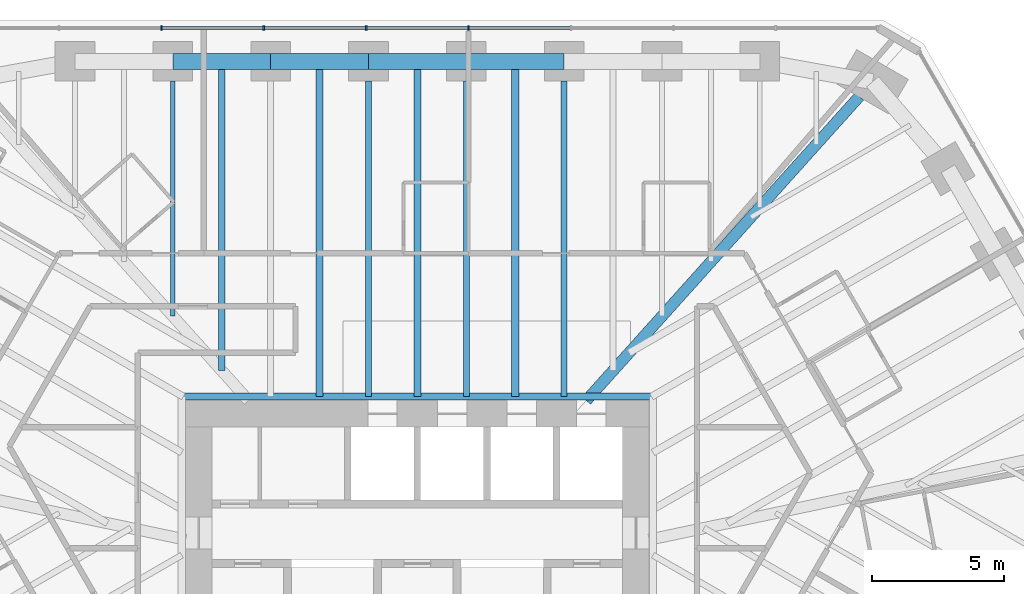
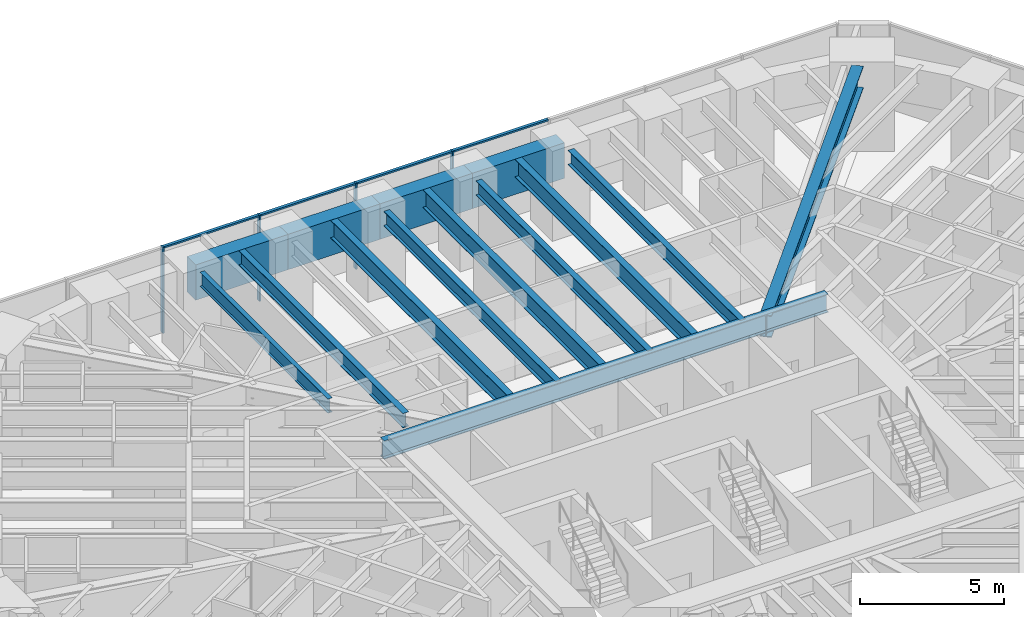
# One storey, part 8 of 16: 14 beams, 8 members, 1 element without a shape of its own.
"""IFC4 building model written with IfcOpenShell, lengths in metres."""

import ifcopenshell
import ifcopenshell.guid

model = None  # the IFC model being written
_history = None  # IfcOwnerHistory: only IFC2X3 demands one
_inside = {}  # id of a spatial element -> (the spatial element, [elements in it])
_under = {}  # id of a project, library or spatial element -> (it, [spatial elements below it])
_declared = {}  # id of a project -> (the project, [libraries it declares])
_typed = {}  # id of a type object -> (the type object, [elements of that type])
_made_of = {}  # id of a material, layer set ... -> (it, [elements and type objects made of it])


def new_model(schema):
    """Start an empty IFC model of exactly this schema.

    Asked for "IFC4X3", IfcOpenShell would pick the latest addendum, in which some entities
    have other attributes; the version numbers below select the first issue.
    IFC2X3 requires an IfcOwnerHistory on every rooted entity: one is made here for all.
    """
    global model, _history
    if schema == "IFC4X3":
        model = ifcopenshell.file(schema_version=(4, 3, 0, 0))
    else:
        model = ifcopenshell.file(schema=schema)
    _inside.clear()
    _under.clear()
    _declared.clear()
    _typed.clear()
    _made_of.clear()
    _history = None
    if model.schema == "IFC2X3":
        org = make("IfcOrganization", Name="unknown")
        user = make(
            "IfcPersonAndOrganization",
            ThePerson=make("IfcPerson", FamilyName="unknown"),
            TheOrganization=org,
        )
        app = make(
            "IfcApplication",
            ApplicationDeveloper=org,
            Version="unknown",
            ApplicationFullName="unknown",
            ApplicationIdentifier="unknown",
        )
        _history = make(
            "IfcOwnerHistory",
            OwningUser=user,
            OwningApplication=app,
            ChangeAction="ADDED",
            CreationDate=0,
        )
    return model


def make(cls, **values):
    """One entity of the class cls with the attributes given. An attribute that is None is left unset."""
    return model.create_entity(
        cls, **{name: value for name, value in values.items() if value is not None}
    )


def rooted(cls, **values):
    """An entity with a GlobalId (a new one), such as an element, a storey or a relation."""
    return make(cls, GlobalId=ifcopenshell.guid.new(), OwnerHistory=_history, **values)


def si_unit(unit_type, name, prefix=None):
    """IfcSIUnit, for example si_unit("LENGTHUNIT", "METRE", prefix="MILLI")."""
    return make("IfcSIUnit", UnitType=unit_type, Prefix=prefix, Name=name)


def assignment(units):
    """IfcUnitAssignment: the units of a project."""
    return None if units is None else make("IfcUnitAssignment", Units=units)


def point(xyz):
    """IfcCartesianPoint."""
    return None if xyz is None else make("IfcCartesianPoint", Coordinates=xyz)


def direction(xyz):
    """IfcDirection."""
    return None if xyz is None else make("IfcDirection", DirectionRatios=xyz)


def frame(location, z_axis=None, x_axis=None):
    """IfcAxis2Placement3D, a coordinate frame: its origin and axes. An axis left out is left unset."""
    return make(
        "IfcAxis2Placement3D",
        Location=point(location),
        Axis=direction(z_axis),
        RefDirection=direction(x_axis),
    )


def frame_2d(location, x_axis=None):
    """IfcAxis2Placement2D, a coordinate frame in the plane: its origin and x axis."""
    return make(
        "IfcAxis2Placement2D", Location=point(location), RefDirection=direction(x_axis)
    )


def origin():
    """The frame at (0, 0, 0) with its axes left unset."""
    return frame((0.0, 0.0, 0.0))


def origin_2d():
    """The frame at (0, 0) in the plane with its x axis left unset."""
    return frame_2d((0.0, 0.0))


def place(relative_to, where):
    """IfcLocalPlacement: puts the frame where relative to a parent placement (None: the world)."""
    return make(
        "IfcLocalPlacement", PlacementRelTo=relative_to, RelativePlacement=where
    )


def context(
    kind, dimensions, precision=None, world=None, true_north=None, identifier=None
):
    """IfcGeometricRepresentationContext, for example the 3D "Model" context."""
    return make(
        "IfcGeometricRepresentationContext",
        ContextIdentifier=identifier,
        ContextType=kind,
        CoordinateSpaceDimension=dimensions,
        Precision=precision,
        WorldCoordinateSystem=world,
        TrueNorth=true_north,
    )


def subcontext(parent, identifier, kind, view, scale=None):
    """IfcGeometricRepresentationSubContext, for example "Body" below "Model"."""
    return make(
        "IfcGeometricRepresentationSubContext",
        ContextIdentifier=identifier,
        ContextType=kind,
        ParentContext=parent,
        TargetScale=scale,
        TargetView=view,
    )


def project(units=None, contexts=None):
    """IfcProject with its units and contexts."""
    return rooted(
        "IfcProject",
        Name="project",
        RepresentationContexts=contexts,
        UnitsInContext=assignment(units),
    )


def spatial(cls, under=None, at=None, **own):
    """A site, building, storey or space (cls), placed at a placement, below another one or the project."""
    s = rooted(cls, ObjectPlacement=at, **own)
    if under is not None:
        _under.setdefault(under.id(), (under, []))[1].append(s)
    return s


def profile(cls, at=None, kind="AREA", **sizes):
    """A parametric profile (cls). Its sizes go by their IFC names, for example OverallWidth=200.0."""
    return make(cls, ProfileType=kind, Position=at, **sizes)


def rectangle(**sizes):
    """IfcRectangleProfileDef."""
    return profile("IfcRectangleProfileDef", **sizes)


def i_section(**sizes):
    """IfcIShapeProfileDef."""
    return profile("IfcIShapeProfileDef", **sizes)


def extrude(swept, where, along, depth):
    """IfcExtrudedAreaSolid: the profile swept, set in the frame where, extruded along a direction by depth."""
    return make(
        "IfcExtrudedAreaSolid",
        SweptArea=swept,
        Position=where,
        ExtrudedDirection=direction(along),
        Depth=depth,
    )


def shape(context_of_items, identifier, shape_type, items):
    """IfcShapeRepresentation: the items that make up one representation, for example the "Body"."""
    return make(
        "IfcShapeRepresentation",
        ContextOfItems=context_of_items,
        RepresentationIdentifier=identifier,
        RepresentationType=shape_type,
        Items=items,
    )


def material(Name=None, Category=None):
    """IfcMaterial."""
    return make("IfcMaterial", Name=Name, Category=Category)


def material_profile(
    of_material, cross_section, Name=None, Category=None, Priority=None
):
    """IfcMaterialProfile: a cross section and its material."""
    return make(
        "IfcMaterialProfile",
        Name=Name,
        Material=of_material,
        Profile=cross_section,
        Priority=Priority,
        Category=Category,
    )


def profile_set(profiles, Name=None, composite=None):
    """IfcMaterialProfileSet."""
    return make(
        "IfcMaterialProfileSet",
        Name=Name,
        MaterialProfiles=profiles,
        CompositeProfile=composite,
    )


def made_of(thing, what):
    """Note that an element or type object is made of a material, layer set ...; save() writes the relation."""
    if what is not None:
        _made_of.setdefault(what.id(), (what, []))[1].append(thing)
    return thing


def type_object(cls, material=None, **own):
    """A type object (cls), such as IfcWallType, which elements share."""
    return made_of(rooted(cls, **own), material)


def element(
    cls,
    number,
    at=None,
    inside=None,
    cuts=None,
    type_object=None,
    material=None,
    context=None,
    identifier="Body",
    shape_type=None,
    held_by="IfcProductDefinitionShape",
    body=None,
    shapes=None,
    **own,
):
    """One element of the class cls, such as IfcWall. Its Tag is "e" and its number.

    at: its placement. inside: the storey or other place that contains it. cuts: it is an
    opening in that element (IfcRelVoidsElement). A single representation is given by context,
    identifier, shape_type and body (its items); several are given by shapes. held_by: the class
    of the entity that holds the representations. save() writes the other relations.
    """
    e = rooted(cls, Tag="e%d" % number, ObjectPlacement=at, **own)
    if body is not None:
        shapes = [shape(context, identifier, shape_type, body)]
    if shapes is not None:
        e.Representation = make(held_by, Representations=shapes)
    if inside is not None:
        _inside.setdefault(inside.id(), (inside, []))[1].append(e)
    if cuts is not None:
        rooted(
            "IfcRelVoidsElement", RelatingBuildingElement=cuts, RelatedOpeningElement=e
        )
    if type_object is not None:
        _typed.setdefault(type_object.id(), (type_object, []))[1].append(e)
    return made_of(e, material)


def aggregate(whole, parts):
    """IfcRelAggregates: a whole, such as a stair, and the parts it consists of."""
    return rooted("IfcRelAggregates", RelatingObject=whole, RelatedObjects=parts)


def save(model, path):
    """Write the relations noted so far, then the file.

    IfcRelAggregates (storeys below a building ...), IfcRelContainedInSpatialStructure (elements
    in a storey), IfcRelDefinesByType, IfcRelAssociatesMaterial and IfcRelDeclares: one each for
    every whole, place, type object, material and project.
    """
    for whole, parts in _under.values():
        aggregate(whole, parts)
    for where, things in _inside.values():
        rooted(
            "IfcRelContainedInSpatialStructure",
            RelatedElements=things,
            RelatingStructure=where,
        )
    for kind, things in _typed.values():
        rooted("IfcRelDefinesByType", RelatedObjects=things, RelatingType=kind)
    for what, things in _made_of.values():
        rooted("IfcRelAssociatesMaterial", RelatedObjects=things, RelatingMaterial=what)
    for by, libraries in _declared.values():
        rooted("IfcRelDeclares", RelatingContext=by, RelatedDefinitions=libraries)
    model.write(path)


model = new_model("IFC4")

# Units and contexts
model_context = context("Model", 3, precision=1e-05, world=origin(), true_north=direction((0.0, 1.0)))
body_context = subcontext(model_context, "Body", "Model", "MODEL_VIEW")
ifc_project = project(units=[si_unit("LENGTHUNIT", "METRE"), si_unit("AREAUNIT", "SQUARE_METRE"), si_unit("VOLUMEUNIT", "CUBIC_METRE"), si_unit("PLANEANGLEUNIT", "RADIAN"), si_unit("MASSUNIT", "GRAM", prefix="KILO")], contexts=[model_context])

# Site, building, storey
site_placement = place(None, origin())
site = spatial("IfcSite", under=ifc_project, at=site_placement, CompositionType="ELEMENT")
building_placement = place(site_placement, origin())
building = spatial("IfcBuilding", under=site, at=building_placement, Name="Sandreach Pilgrim Tower", CompositionType="ELEMENT")
storey_placement = place(building_placement, frame((0.0, 0.0, 202.199951171875)))
storey = spatial("IfcBuildingStorey", under=building, at=storey_placement, Name="L50", CompositionType="ELEMENT", Elevation=202.199951171875)

# Curtain wall, members
ifc_material_1 = material(Name="Aluminium framed curtain wall", Category="aluminium")
curtain_wall_type = type_object("IfcCurtainWallType", Name="Upper hotel tower curtain wall", PredefinedType="NOTDEFINED", material=ifc_material_1)
curtain_wall_placement = place(storey_placement, origin())
curtain_wall = element("IfcCurtainWall", 1, at=curtain_wall_placement, inside=storey, type_object=curtain_wall_type, Name="CW-3 L50 N", PredefinedType="NOTDEFINED")
ifc_material_2 = material(Name="Aluminium extrusion", Category="aluminium")
ifc_material_profile_1 = material_profile(ifc_material_2, rectangle(XDim=0.06494140625, YDim=0.159912109375, at=origin_2d()), Name="CW-3M 65X160")
ifc_profile_set_1 = profile_set([ifc_material_profile_1], Name="Aluminium extrusion")
member_type_1 = type_object("IfcMemberType", Name="CW-3 mullion", PredefinedType="MULLION", material=ifc_profile_set_1)
member_1_placement = place(storey_placement, frame((-9.6611328125, 21.16015625, 0.0), z_axis=(0.0, 0.0, 1.0), x_axis=(1.0, 0.0, 0.0)))
member_1 = element("IfcMember", 2, at=member_1_placement, type_object=member_type_1, Name="CW-3 mullion 3", PredefinedType="MULLION", context=body_context, shape_type="SweptSolid", body=[
    extrude(rectangle(XDim=0.06494140625, YDim=0.159912109375, at=origin_2d()), origin(), (0.0, 0.0, 1.0), 3.64013671875),
])
member_2_placement = place(storey_placement, frame((-5.796630859375, 21.16015625, 0.0), z_axis=(0.0, 0.0, 1.0), x_axis=(1.0, 0.0, 0.0)))
member_2 = element("IfcMember", 3, at=member_2_placement, type_object=member_type_1, Name="CW-3 mullion 4", PredefinedType="MULLION", context=body_context, shape_type="SweptSolid", body=[
    extrude(rectangle(XDim=0.06494140625, YDim=0.159912109375, at=origin_2d()), origin(), (0.0, 0.0, 1.0), 3.64013671875),
])
member_3_placement = place(storey_placement, frame((-1.93212890625, 21.16015625, 0.0), z_axis=(0.0, 0.0, 1.0), x_axis=(1.0, 0.0, 0.0)))
member_3 = element("IfcMember", 4, at=member_3_placement, type_object=member_type_1, Name="CW-3 mullion 5", PredefinedType="MULLION", context=body_context, shape_type="SweptSolid", body=[
    extrude(rectangle(XDim=0.06494140625, YDim=0.159912109375, at=origin_2d()), origin(), (0.0, 0.0, 1.0), 3.64013671875),
])
member_4_placement = place(storey_placement, frame((1.93212890625, 21.16015625, 0.0), z_axis=(0.0, 0.0, 1.0), x_axis=(1.0, 0.0, 0.0)))
member_4 = element("IfcMember", 5, at=member_4_placement, type_object=member_type_1, Name="CW-3 mullion 6", PredefinedType="MULLION", context=body_context, shape_type="SweptSolid", body=[
    extrude(rectangle(XDim=0.06494140625, YDim=0.159912109375, at=origin_2d()), origin(), (0.0, 0.0, 1.0), 3.64013671875),
])
ifc_material_3 = material(Name="Aluminium extrusion", Category="aluminium")
ifc_material_profile_2 = material_profile(ifc_material_3, rectangle(XDim=0.1201171875, YDim=0.070068359375, at=origin_2d()), Name="CW-3T 120X70")
ifc_profile_set_2 = profile_set([ifc_material_profile_2], Name="Aluminium extrusion")
member_type_2 = type_object("IfcMemberType", Name="CW-3 transom", PredefinedType="USERDEFINED", material=ifc_profile_set_2)
member_5_placement = place(storey_placement, frame((-9.628662109375, 21.16015625, 3.60498046875), z_axis=(1.0, 0.0, 0.0), x_axis=(0.0, 1.0, 0.0)))
member_5 = element("IfcMember", 6, at=member_5_placement, type_object=member_type_2, Name="CW-3 head transom 3", ObjectType="TRANSOM", PredefinedType="USERDEFINED", context=body_context, shape_type="SweptSolid", body=[
    extrude(rectangle(XDim=0.1201171875, YDim=0.070068359375, at=origin_2d()), origin(), (0.0, 0.0, 1.0), 3.799560546875),
])
member_6_placement = place(storey_placement, frame((-5.76416015625, 21.16015625, 3.60498046875), z_axis=(1.0, 0.0, 0.0), x_axis=(0.0, 1.0, 0.0)))
member_6 = element("IfcMember", 7, at=member_6_placement, type_object=member_type_2, Name="CW-3 head transom 4", ObjectType="TRANSOM", PredefinedType="USERDEFINED", context=body_context, shape_type="SweptSolid", body=[
    extrude(rectangle(XDim=0.1201171875, YDim=0.070068359375, at=origin_2d()), origin(), (0.0, 0.0, 1.0), 3.799560546875),
])
member_7_placement = place(storey_placement, frame((-1.899658203125, 21.16015625, 3.60498046875), z_axis=(1.0, 0.0, 0.0), x_axis=(0.0, 1.0, 0.0)))
member_7 = element("IfcMember", 8, at=member_7_placement, type_object=member_type_2, Name="CW-3 head transom 5", ObjectType="TRANSOM", PredefinedType="USERDEFINED", context=body_context, shape_type="SweptSolid", body=[
    extrude(rectangle(XDim=0.1201171875, YDim=0.070068359375, at=origin_2d()), origin(), (0.0, 0.0, 1.0), 3.79931640625),
])
member_8_placement = place(storey_placement, frame((1.964599609375, 21.16015625, 3.60498046875), z_axis=(1.0, 0.0, 0.0), x_axis=(0.0, 1.0, 0.0)))
member_8 = element("IfcMember", 9, at=member_8_placement, type_object=member_type_2, Name="CW-3 head transom 6", ObjectType="TRANSOM", PredefinedType="USERDEFINED", context=body_context, shape_type="SweptSolid", body=[
    extrude(rectangle(XDim=0.1201171875, YDim=0.070068359375, at=origin_2d()), origin(), (0.0, 0.0, 1.0), 3.799560546875),
])
aggregate(curtain_wall, [member_1, member_2, member_3, member_4, member_5, member_6, member_7, member_8])

# Beams
ifc_material_4 = material(Name="Steel ASTM A992 Grade 50", Category="steel")
ifc_material_profile_3 = material_profile(ifc_material_4, i_section(OverallWidth=0.2666015625, OverallDepth=0.77978515625, WebThickness=0.0166015625, FlangeThickness=0.030029296875, at=origin_2d()), Name="W30X148")
ifc_profile_set_3 = profile_set([ifc_material_profile_3], Name="Steel ASTM A992 Grade 50")
beam_type_1 = type_object("IfcBeamType", Name="Core edge beam W30X148", PredefinedType="BEAM", material=ifc_profile_set_3)
beam_1_placement = place(storey_placement, frame((-8.893310546875, 7.243408203125, 3.250244140625), z_axis=(1.0, 0.0, 0.0), x_axis=(0.0, 1.0, 0.0)))
element("IfcBeam", 10, at=beam_1_placement, inside=storey, type_object=beam_type_1, Name="BM L50 CEN", PredefinedType="BEAM", context=body_context, shape_type="SweptSolid", body=[
    extrude(i_section(OverallWidth=0.2666015625, OverallDepth=0.77978515625, WebThickness=0.0166015625, FlangeThickness=0.030029296875, at=origin_2d()), origin(), (0.0, 0.0, 1.0), 17.78662109375),
])
ifc_material_5 = material(Name="Steel ASTM A992 Grade 50", Category="steel")
ifc_material_profile_4 = material_profile(ifc_material_5, i_section(OverallWidth=0.421630859375, OverallDepth=0.937255859375, WebThickness=0.0224609375, FlangeThickness=0.039794921875, at=origin_2d()), Name="W36X282")
ifc_profile_set_4 = profile_set([ifc_material_profile_4], Name="Steel ASTM A992 Grade 50")
beam_type_2 = type_object("IfcBeamType", Name="Corner girder W36X282", PredefinedType="BEAM", material=ifc_profile_set_4)
beam_2_placement = place(storey_placement, frame((16.677001953125, 18.572509765625, 3.17138671875), z_axis=(-0.668116607722, -0.744056582853, 0.0), x_axis=(0.744056582853, -0.668116607722, 0.0)))
element("IfcBeam", 11, at=beam_2_placement, inside=storey, type_object=beam_type_2, Name="BM L50 CG09", PredefinedType="BEAM", context=body_context, shape_type="SweptSolid", body=[
    extrude(i_section(OverallWidth=0.421630859375, OverallDepth=0.937255859375, WebThickness=0.0224609375, FlangeThickness=0.039794921875, at=origin_2d()), origin(), (0.0, 0.0, 1.0), 15.418701171875),
])
ifc_material_6 = material(Name="Steel ASTM A992 Grade 50", Category="steel")
ifc_material_profile_5 = material_profile(ifc_material_6, i_section(OverallWidth=0.1787109375, OverallDepth=0.60205078125, WebThickness=0.010986328125, FlangeThickness=0.014892578125, at=origin_2d()), Name="W24X62")
ifc_profile_set_5 = profile_set([ifc_material_profile_5], Name="Steel ASTM A992 Grade 50")
beam_type_3 = type_object("IfcBeamType", Name="Floor beam W24X62", PredefinedType="BEAM", material=ifc_profile_set_5)
beam_3_placement = place(storey_placement, frame((-9.231201171875, 19.150146484375, 3.339111328125), z_axis=(0.0, -1.0, 0.0), x_axis=(1.0, 0.0, 0.0)))
element("IfcBeam", 12, at=beam_3_placement, inside=storey, type_object=beam_type_3, Name="BM L50 F02", PredefinedType="BEAM", context=body_context, shape_type="SweptSolid", body=[
    extrude(i_section(OverallWidth=0.1787109375, OverallDepth=0.60205078125, WebThickness=0.010986328125, FlangeThickness=0.014892578125, at=origin_2d()), origin(), (0.0, 0.0, 1.0), 8.86962890625),
])
ifc_material_7 = material(Name="Steel ASTM A992 Grade 50", Category="steel")
ifc_material_profile_6 = material_profile(ifc_material_7, i_section(OverallWidth=0.23046875, OverallDepth=0.6171875, WebThickness=0.01318359375, FlangeThickness=0.022216796875, at=origin_2d()), Name="W24X94")
ifc_profile_set_6 = profile_set([ifc_material_profile_6], Name="Steel ASTM A992 Grade 50")
beam_type_4 = type_object("IfcBeamType", Name="Floor beam W24X94", PredefinedType="BEAM", material=ifc_profile_set_6)
for number, where, z_axis, x_axis, name in (
    (13, (-1.84619140625, 19.150146484375, 3.33154296875), (0.0, -1.0, 0.0), (1.0, 0.0, 0.0), "BM L50 F04"),
    (14, (1.84619140625, 19.150146484375, 3.33154296875), (0.0, -1.0, 0.0), (1.0, 0.0, 0.0), "BM L50 F05"),
    (15, (5.538818359375, 19.150146484375, 3.33154296875), (0.0, -1.0, 0.0), (1.0, 0.0, 0.0), "BM L50 F06"),
):
    element("IfcBeam", number, at=place(storey_placement, frame(where, z_axis=z_axis, x_axis=x_axis)), inside=storey, type_object=beam_type_4, Name=name, PredefinedType="BEAM", context=body_context, shape_type="SweptSolid", body=[
        extrude(i_section(OverallWidth=0.23046875, OverallDepth=0.6171875, WebThickness=0.01318359375, FlangeThickness=0.022216796875, at=origin_2d()), origin(), (0.0, 0.0, 1.0), 11.90673828125),
    ])
beam_4_placement = place(storey_placement, frame((-7.385009765625, 19.900146484375, 3.33154296875), z_axis=(0.0, -1.0, 0.0), x_axis=(1.0, 0.0, 0.0)))
element("IfcBeam", 16, at=beam_4_placement, inside=storey, type_object=beam_type_4, Name="BM L50 FM02", PredefinedType="BEAM", context=body_context, shape_type="SweptSolid", body=[
    extrude(i_section(OverallWidth=0.23046875, OverallDepth=0.6171875, WebThickness=0.01318359375, FlangeThickness=0.022216796875, at=origin_2d()), origin(), (0.0, 0.0, 1.0), 11.67578125),
])
ifc_material_8 = material(Name="Steel ASTM A992 Grade 50", Category="steel")
ifc_material_profile_7 = material_profile(ifc_material_8, i_section(OverallWidth=0.2666015625, OverallDepth=0.761962890625, WebThickness=0.014404296875, FlangeThickness=0.021484375, at=origin_2d()), Name="W30X116")
ifc_profile_set_7 = profile_set([ifc_material_profile_7], Name="Steel ASTM A992 Grade 50")
beam_type_5 = type_object("IfcBeamType", Name="Floor beam W30X116", PredefinedType="BEAM", material=ifc_profile_set_7)
for number, where, z_axis, x_axis, name in (
    (17, (-3.6923828125, 19.900146484375, 3.259033203125), (0.0, -1.0, 0.0), (1.0, 0.0, 0.0), "BM L50 FM03"),
    (18, (0.0, 19.900146484375, 3.259033203125), (0.0, -1.0, 0.0), (1.0, 0.0, 0.0), "BM L50 FM04"),
    (19, (3.6923828125, 19.900146484375, 3.259033203125), (0.0, -1.0, 0.0), (1.0, 0.0, 0.0), "BM L50 FM05"),
):
    element("IfcBeam", number, at=place(storey_placement, frame(where, z_axis=z_axis, x_axis=x_axis)), inside=storey, type_object=beam_type_5, Name=name, PredefinedType="BEAM", context=body_context, shape_type="SweptSolid", body=[
        extrude(i_section(OverallWidth=0.2666015625, OverallDepth=0.761962890625, WebThickness=0.014404296875, FlangeThickness=0.021484375, at=origin_2d()), origin(), (0.0, 0.0, 1.0), 12.65673828125),
    ])
ifc_material_9 = material(Name="Concrete 10000 psi", Category="concrete")
ifc_material_profile_8 = material_profile(ifc_material_9, rectangle(XDim=0.60009765625, YDim=1.5, at=origin_2d()), Name="RC600X1500")
ifc_profile_set_8 = profile_set([ifc_material_profile_8], Name="Concrete 10000 psi")
beam_type_6 = type_object("IfcBeamType", Name="Spandrel beam RC600X1500", PredefinedType="SPANDREL", material=ifc_profile_set_8)
beam_5_placement = place(storey_placement, frame((-9.231201171875, 19.900146484375, 2.89013671875), z_axis=(1.0, 0.0, 0.0), x_axis=(0.0, 1.0, 0.0)))
element("IfcBeam", 20, at=beam_5_placement, inside=storey, type_object=beam_type_6, Name="BM L50 SP02", PredefinedType="SPANDREL", context=body_context, shape_type="SweptSolid", body=[
    extrude(rectangle(XDim=0.60009765625, YDim=1.5, at=origin_2d()), origin(), (0.0, 0.0, 1.0), 3.6923828125),
])
beam_6_placement = place(storey_placement, frame((-5.538818359375, 19.900146484375, 2.89013671875), z_axis=(1.0, 0.0, 0.0), x_axis=(0.0, 1.0, 0.0)))
element("IfcBeam", 21, at=beam_6_placement, inside=storey, type_object=beam_type_6, Name="BM L50 SP03", PredefinedType="SPANDREL", context=body_context, shape_type="SweptSolid", body=[
    extrude(rectangle(XDim=0.60009765625, YDim=1.5, at=origin_2d()), origin(), (0.0, 0.0, 1.0), 3.692626953125),
])
beam_7_placement = place(storey_placement, frame((-1.84619140625, 19.900146484375, 2.89013671875), z_axis=(1.0, 0.0, 0.0), x_axis=(0.0, 1.0, 0.0)))
element("IfcBeam", 22, at=beam_7_placement, inside=storey, type_object=beam_type_6, Name="BM L50 SP04", PredefinedType="SPANDREL", context=body_context, shape_type="SweptSolid", body=[
    extrude(rectangle(XDim=0.60009765625, YDim=1.5, at=origin_2d()), origin(), (0.0, 0.0, 1.0), 3.6923828125),
])
beam_8_placement = place(storey_placement, frame((1.84619140625, 19.900146484375, 2.89013671875), z_axis=(1.0, 0.0, 0.0), x_axis=(0.0, 1.0, 0.0)))
element("IfcBeam", 23, at=beam_8_placement, inside=storey, type_object=beam_type_6, Name="BM L50 SP05", PredefinedType="SPANDREL", context=body_context, shape_type="SweptSolid", body=[
    extrude(rectangle(XDim=0.60009765625, YDim=1.5, at=origin_2d()), origin(), (0.0, 0.0, 1.0), 3.692626953125),
])

save(model, "model.ifc")
